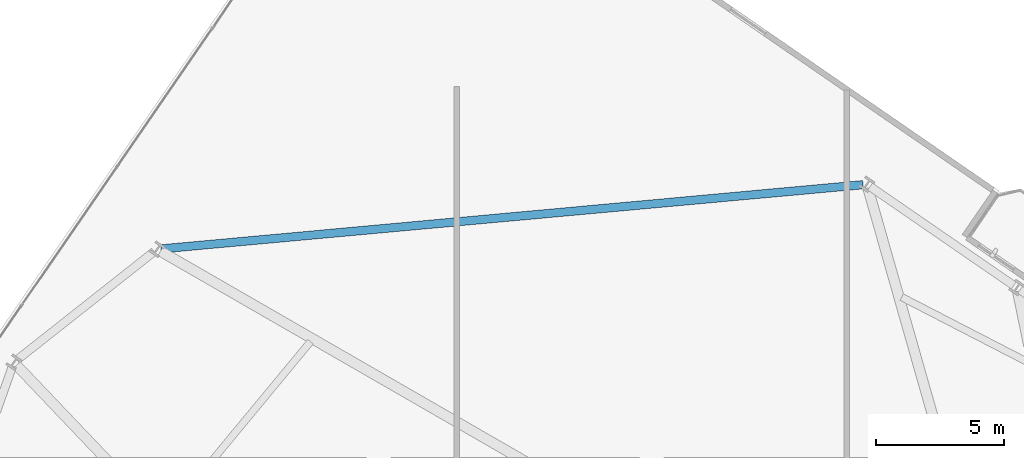
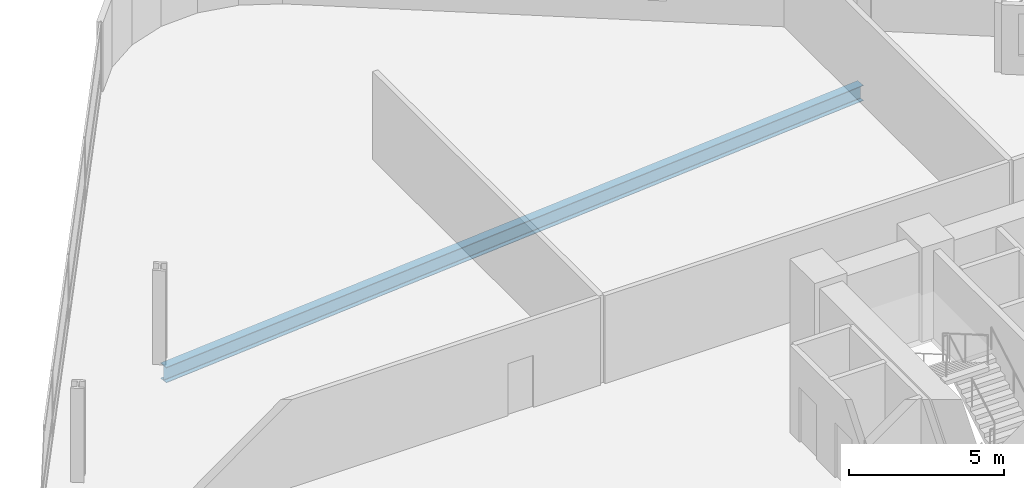
# One storey, part 14 of 24: 1 beam.
"""IFC4 building model written with IfcOpenShell, lengths in metres."""

from ifc_helpers import new_model, si_unit, direction, frame, origin, origin_2d, place, context, subcontext, project, spatial, i_section, extrude, material, material_profile, profile_set, type_object, element, save


model = new_model("IFC4")

# Units and contexts
model_context = context("Model", 3, precision=1e-05, world=origin(), true_north=direction((0.0, 1.0)))
body_context = subcontext(model_context, "Body", "Model", "MODEL_VIEW")
ifc_project = project(units=[si_unit("LENGTHUNIT", "METRE"), si_unit("AREAUNIT", "SQUARE_METRE"), si_unit("VOLUMEUNIT", "CUBIC_METRE"), si_unit("PLANEANGLEUNIT", "RADIAN"), si_unit("MASSUNIT", "GRAM", prefix="KILO")], contexts=[model_context])

# Site, building, storey
site_placement = place(None, origin())
site = spatial("IfcSite", under=ifc_project, at=site_placement, CompositionType="ELEMENT")
building_placement = place(site_placement, origin())
building = spatial("IfcBuilding", under=site, at=building_placement, Name="Varnelok Gate Tower", CompositionType="ELEMENT")
storey_placement = place(building_placement, frame((0.0, 0.0, 38.10009765625)))
storey = spatial("IfcBuildingStorey", under=building, at=storey_placement, Name="L08", CompositionType="ELEMENT", Elevation=38.10009765625)

# Beam
ifc_material = material(Name="Structural Steel ASTM A992 Grade 50", Category="steel")
ifc_material_profile = material_profile(ifc_material, i_section(OverallWidth=0.323974609375, OverallDepth=0.611083984375, WebThickness=0.0126953125, FlangeThickness=0.01904296875, FilletRadius=0.01806640625, at=origin_2d()), Name="W24X104")
ifc_profile_set = profile_set([ifc_material_profile], Name="Structural Steel ASTM A992 Grade 50")
beam_type = type_object("IfcBeamType", Name="BM-SPN-W24X104", PredefinedType="SPANDREL", material=ifc_profile_set)
beam_placement = place(storey_placement, frame((39.8359375, 52.163818359375, -0.5556640625), z_axis=(-0.995845891963, -0.091054705864, 0.0), x_axis=(0.091054705864, -0.995845891963, 0.0)))
element("IfcBeam", 1, at=beam_placement, inside=storey, type_object=beam_type, Name="L08 Perimeter Spandrel Beam 13", PredefinedType="SPANDREL", context=body_context, shape_type="SweptSolid", body=[
    extrude(i_section(OverallWidth=0.323974609375, OverallDepth=0.611083984375, WebThickness=0.0126953125, FlangeThickness=0.01904296875, FilletRadius=0.01806640625, at=origin_2d()), origin(), (0.0, 0.0, 1.0), 27.485595703125),
])

save(model, "model.ifc")
